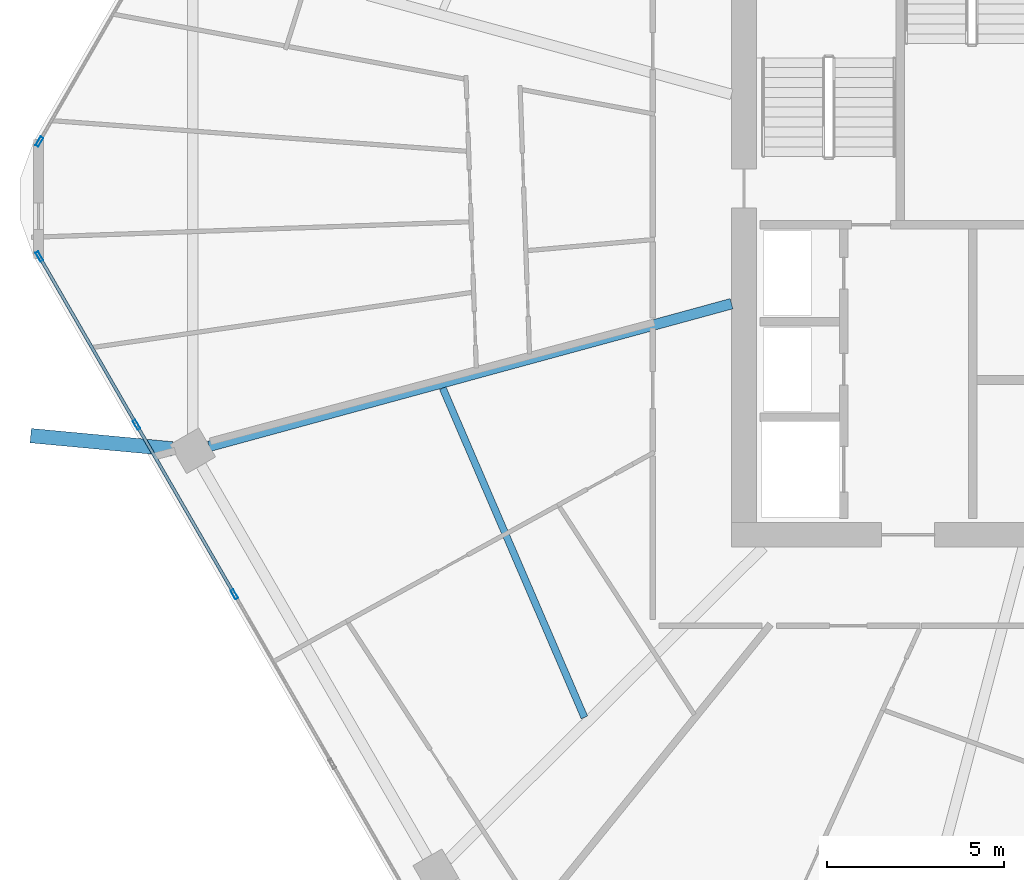
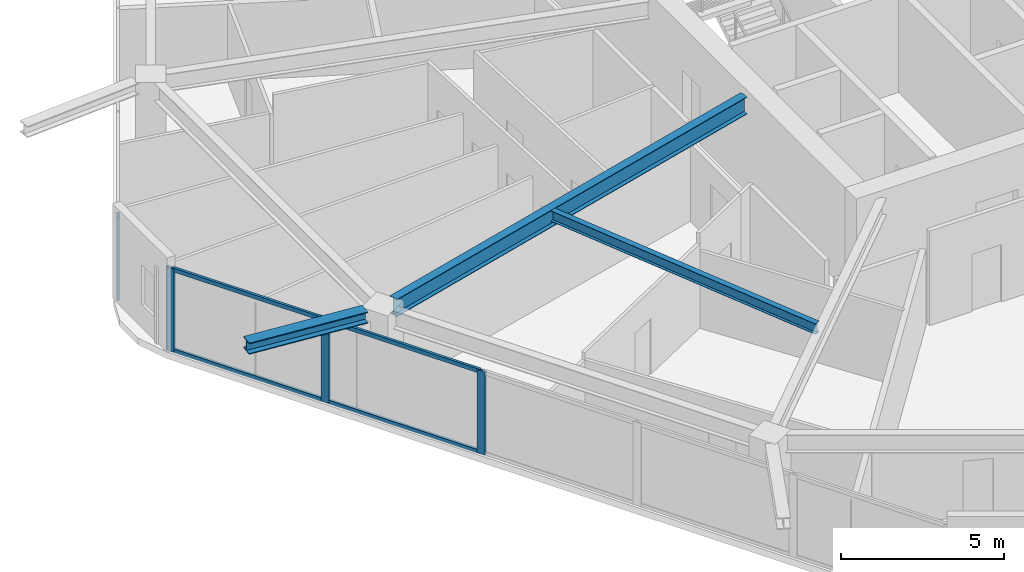
# One storey, part 5 of 27: 8 members, 3 beams, 2 elements without a shape of their own.
"""IFC4 building model written with IfcOpenShell, lengths in metres."""

from ifc_helpers import new_model, si_unit, direction, frame, origin, origin_2d, place, context, subcontext, project, spatial, hollow_rectangle, i_section, extrude, material, material_profile, profile_set, type_object, element, aggregate, save


model = new_model("IFC4")

# Units and contexts
model_context = context("Model", 3, precision=1e-05, world=origin(), true_north=direction((0.0, 1.0)))
body_context = subcontext(model_context, "Body", "Model", "MODEL_VIEW")
ifc_project = project(units=[si_unit("LENGTHUNIT", "METRE"), si_unit("AREAUNIT", "SQUARE_METRE"), si_unit("VOLUMEUNIT", "CUBIC_METRE"), si_unit("PLANEANGLEUNIT", "RADIAN"), si_unit("MASSUNIT", "GRAM", prefix="KILO")], contexts=[model_context])

# Site, building, storey
site_placement = place(None, origin())
site = spatial("IfcSite", under=ifc_project, at=site_placement, CompositionType="ELEMENT")
building_placement = place(site_placement, origin())
building = spatial("IfcBuilding", under=site, at=building_placement, Name="Zuhravey Tower", CompositionType="ELEMENT")
storey_placement = place(building_placement, frame((0.0, 0.0, 218.800048828125)))
storey = spatial("IfcBuildingStorey", under=building, at=storey_placement, Name="L55", CompositionType="ELEMENT", Elevation=218.800048828125)

# Curtain wall, members
ifc_material_1 = material(Name="Thermally broken anodised aluminium", Category="aluminium")
curtain_wall_type = type_object("IfcCurtainWallType", Name="Zone 1-2 Residential Curtain Wall CW3", PredefinedType="NOTDEFINED", material=ifc_material_1)
curtain_wall_1_placement = place(storey_placement, origin())
curtain_wall_1 = element("IfcCurtainWall", 1, at=curtain_wall_1_placement, inside=storey, type_object=curtain_wall_type, Name="L55 CW3 CW-L55-F4-1", PredefinedType="NOTDEFINED")
ifc_material_2 = material(Name="Anodised aluminium", Category="aluminium")
ifc_material_profile_1 = material_profile(ifc_material_2, hollow_rectangle(XDim=0.090087890625, YDim=0.284912109375, WallThickness=0.0048828125, at=origin_2d()), Name="ALU-RHS-90x285x5")
ifc_profile_set_1 = profile_set([ifc_material_profile_1], Name="Anodised aluminium")
member_type_1 = type_object("IfcMemberType", Name="Curtain-Wall Mullion 90x180", PredefinedType="MULLION", material=ifc_profile_set_1)
member_1_placement = place(storey_placement, frame((11.07275390625, 20.809326171875, 0.0), z_axis=(0.0, 0.0, 1.0), x_axis=(-0.866025138215, -0.500000459979, 0.0)))
member_1 = element("IfcMember", 2, at=member_1_placement, type_object=member_type_1, Name="CW3 mullion 4", PredefinedType="MULLION", context=body_context, shape_type="SweptSolid", body=[
    extrude(hollow_rectangle(XDim=0.090087890625, YDim=0.284912109375, WallThickness=0.0048828125, at=origin_2d()), origin(), (0.0, 0.0, 1.0), 3.1220703125),
])
member_2_placement = place(storey_placement, frame((8.300537109375, 25.61083984375, 0.0), z_axis=(0.0, 0.0, 1.0), x_axis=(-0.866025138215, -0.500000459979, 0.0)))
member_2 = element("IfcMember", 3, at=member_2_placement, type_object=member_type_1, Name="CW3 mullion 5", PredefinedType="MULLION", context=body_context, shape_type="SweptSolid", body=[
    extrude(hollow_rectangle(XDim=0.090087890625, YDim=0.284912109375, WallThickness=0.0048828125, at=origin_2d()), origin(), (0.0, 0.0, 1.0), 3.1220703125),
])
member_3_placement = place(storey_placement, frame((5.55078125, 30.37353515625, 0.0), z_axis=(0.0, 0.0, 1.0), x_axis=(-0.866025138215, -0.500000459979, 0.0)))
member_3 = element("IfcMember", 4, at=member_3_placement, type_object=member_type_1, Name="CW3 mullion 6", PredefinedType="MULLION", context=body_context, shape_type="SweptSolid", body=[
    extrude(hollow_rectangle(XDim=0.090087890625, YDim=0.284912109375, WallThickness=0.0048828125, at=origin_2d()), origin(), (0.0, 0.0, 1.0), 3.1220703125),
])

# Curtain wall, member
curtain_wall_2_placement = place(storey_placement, origin())
curtain_wall_2 = element("IfcCurtainWall", 5, at=curtain_wall_2_placement, inside=storey, type_object=curtain_wall_type, Name="L55 CW3 CW-L55-F3-1", PredefinedType="NOTDEFINED")
member_4_placement = place(storey_placement, frame((5.55078125, 33.62646484375, 0.0), z_axis=(0.0, 0.0, 1.0), x_axis=(-0.866025138215, 0.500000459979, 0.0)))
member_4 = element("IfcMember", 6, at=member_4_placement, type_object=member_type_1, Name="CW3 mullion 1", PredefinedType="MULLION", context=body_context, shape_type="SweptSolid", body=[
    extrude(hollow_rectangle(XDim=0.090087890625, YDim=0.284912109375, WallThickness=0.0048828125, at=origin_2d()), origin(), (0.0, 0.0, 1.0), 3.1220703125),
])
aggregate(curtain_wall_2, [member_4])

# Member
ifc_material_profile_2 = material_profile(ifc_material_2, hollow_rectangle(XDim=0.090087890625, YDim=0.14990234375, WallThickness=0.0048828125, at=origin_2d()), Name="ALU-RHS-90x150x5")
ifc_profile_set_2 = profile_set([ifc_material_profile_2], Name="Anodised aluminium")
member_type_2 = type_object("IfcMemberType", Name="Curtain-Wall Transom 90x150", PredefinedType="USERDEFINED", material=ifc_profile_set_2)
member_5_placement = place(storey_placement, frame((11.050048828125, 20.84814453125, 0.044921875), z_axis=(-0.49996138257, 0.86604769842, 0.0), x_axis=(-0.86604769842, -0.49996138257, 0.0)))
member_5 = element("IfcMember", 7, at=member_5_placement, type_object=member_type_2, Name="CW3 transom 4.1", ObjectType="TRANSOM", PredefinedType="USERDEFINED", context=body_context, shape_type="SweptSolid", body=[
    extrude(hollow_rectangle(XDim=0.090087890625, YDim=0.14990234375, WallThickness=0.0048828125, at=origin_2d()), origin(), (0.0, 0.0, 1.0), 5.45458984375),
])

member_6_placement = place(storey_placement, frame((11.050048828125, 20.84814453125, 3.076904296875), z_axis=(-0.49996138257, 0.86604769842, 0.0), x_axis=(-0.86604769842, -0.49996138257, 0.0)))
member_6 = element("IfcMember", 8, at=member_6_placement, type_object=member_type_2, Name="CW3 transom 4.2", ObjectType="TRANSOM", PredefinedType="USERDEFINED", context=body_context, shape_type="SweptSolid", body=[
    extrude(hollow_rectangle(XDim=0.090087890625, YDim=0.14990234375, WallThickness=0.0048828125, at=origin_2d()), origin(), (0.0, 0.0, 1.0), 5.45458984375),
])

member_7_placement = place(storey_placement, frame((8.27783203125, 25.64990234375, 0.044921875), z_axis=(-0.499993332629, 0.866029253159, 0.0), x_axis=(-0.866029253159, -0.499993332629, 0.0)))
member_7 = element("IfcMember", 9, at=member_7_placement, type_object=member_type_2, Name="CW3 transom 5.1", ObjectType="TRANSOM", PredefinedType="USERDEFINED", context=body_context, shape_type="SweptSolid", body=[
    extrude(hollow_rectangle(XDim=0.090087890625, YDim=0.14990234375, WallThickness=0.0048828125, at=origin_2d()), origin(), (0.0, 0.0, 1.0), 5.4091796875),
])

member_8_placement = place(storey_placement, frame((8.27783203125, 25.64990234375, 3.076904296875), z_axis=(-0.499993332629, 0.866029253159, 0.0), x_axis=(-0.866029253159, -0.499993332629, 0.0)))
member_8 = element("IfcMember", 10, at=member_8_placement, type_object=member_type_2, Name="CW3 transom 5.2", ObjectType="TRANSOM", PredefinedType="USERDEFINED", context=body_context, shape_type="SweptSolid", body=[
    extrude(hollow_rectangle(XDim=0.090087890625, YDim=0.14990234375, WallThickness=0.0048828125, at=origin_2d()), origin(), (0.0, 0.0, 1.0), 5.4091796875),
])

aggregate(curtain_wall_1, [member_1, member_2, member_3, member_5, member_6, member_7, member_8])

# Beams
ifc_material_3 = material(Name="Steel SM460", Category="steel")
ifc_material_profile_3 = material_profile(ifc_material_3, i_section(OverallWidth=0.406982421875, OverallDepth=0.427978515625, WebThickness=0.02001953125, FlangeThickness=0.034912109375, at=origin_2d()), Name="H-428x407x20x35")
ifc_profile_set_3 = profile_set([ifc_material_profile_3], Name="Steel SM460")
beam_type_1 = type_object("IfcBeamType", Name="Exoskeleton Node Tie Beam H428x407", PredefinedType="BEAM", material=ifc_profile_set_3)
beam_1_placement = place(storey_placement, frame((9.30859375, 24.927978515625, 3.3359375), z_axis=(-0.995662575361, 0.0930378204, 0.0), x_axis=(-0.0930378204, -0.995662575361, 0.0)))
element("IfcBeam", 11, at=beam_1_placement, inside=storey, type_object=beam_type_1, Name="L55 Exoskeleton Node Tie NT1-07", PredefinedType="BEAM", context=body_context, shape_type="SweptSolid", body=[
    extrude(i_section(OverallWidth=0.406982421875, OverallDepth=0.427978515625, WebThickness=0.02001953125, FlangeThickness=0.034912109375, at=origin_2d()), origin(), (0.0, 0.0, 1.0), 4.02001953125),
])
ifc_material_4 = material(Name="Steel SM355", Category="steel")
ifc_material_profile_4 = material_profile(ifc_material_4, i_section(OverallWidth=0.300048828125, OverallDepth=0.64990234375, WebThickness=0.012939453125, FlangeThickness=0.02197265625, at=origin_2d()), Name="H-650x300x13x22")
ifc_profile_set_4 = profile_set([ifc_material_profile_4], Name="Steel SM355")
beam_type_2 = type_object("IfcBeamType", Name="Radial Primary Girder H650x300", PredefinedType="BEAM", material=ifc_profile_set_4)
beam_2_placement = place(storey_placement, frame((25.14697265625, 29.03759765625, 3.224853515625), z_axis=(-0.964701703464, -0.263345065139, 0.0), x_axis=(0.263345065139, -0.964701703464, 0.0)))
element("IfcBeam", 12, at=beam_2_placement, inside=storey, type_object=beam_type_2, Name="L55 RG2 BM-L55-RAD-07", PredefinedType="BEAM", context=body_context, shape_type="SweptSolid", body=[
    extrude(i_section(OverallWidth=0.300048828125, OverallDepth=0.64990234375, WebThickness=0.012939453125, FlangeThickness=0.02197265625, at=origin_2d()), origin(), (0.0, 0.0, 1.0), 15.334716796875),
])
ifc_material_profile_5 = material_profile(ifc_material_4, i_section(OverallWidth=0.199951171875, OverallDepth=0.39990234375, WebThickness=0.008056640625, FlangeThickness=0.012939453125, at=origin_2d()), Name="H-400x200x8x13")
ifc_profile_set_5 = profile_set([ifc_material_profile_5], Name="Steel SM355")
beam_type_3 = type_object("IfcBeamType", Name="Secondary Floor Joist H400x200", PredefinedType="JOIST", material=ifc_profile_set_5)
beam_3_placement = place(storey_placement, frame((16.970458984375, 26.6474609375, 3.349853515625), z_axis=(0.395265853487, -0.918566766799, 0.0), x_axis=(0.918566766799, 0.395265853487, 0.0)))
element("IfcBeam", 13, at=beam_3_placement, inside=storey, type_object=beam_type_3, Name="L55 SJ2 BM-L55-SJ-07-1", PredefinedType="JOIST", context=body_context, shape_type="SweptSolid", body=[
    extrude(i_section(OverallWidth=0.199951171875, OverallDepth=0.39990234375, WebThickness=0.008056640625, FlangeThickness=0.012939453125, at=origin_2d()), origin(), (0.0, 0.0, 1.0), 10.150146484375),
])

save(model, "model.ifc")
